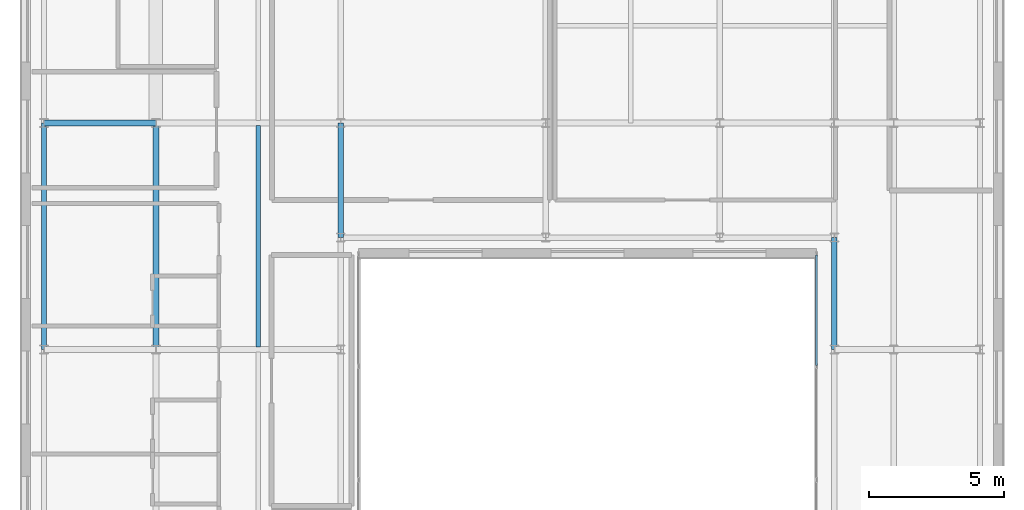
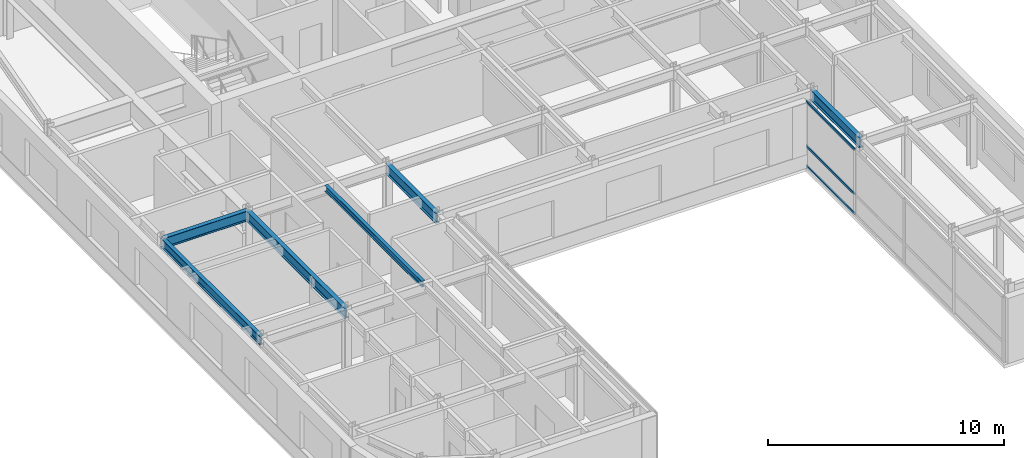
# One storey, part 8 of 20: 6 beams, 3 members, 1 element without a shape of its own.
"""IFC4 building model written with IfcOpenShell, lengths in metres."""

from ifc_helpers import new_model, si_unit, direction, frame, origin, origin_2d, place, context, subcontext, project, spatial, hollow_rectangle, i_section, extrude, source, transform, mapped, material, layer, layer_set, material_profile, profile_set, type_object, type_shapes, element, aggregate, save


model = new_model("IFC4")

# Units and contexts
model_context = context("Model", 3, precision=1e-05, world=origin(), true_north=direction((0.0, 1.0)))
body_context = subcontext(model_context, "Body", "Model", "MODEL_VIEW")
ifc_project = project(units=[si_unit("LENGTHUNIT", "METRE"), si_unit("AREAUNIT", "SQUARE_METRE"), si_unit("VOLUMEUNIT", "CUBIC_METRE"), si_unit("PLANEANGLEUNIT", "RADIAN"), si_unit("MASSUNIT", "GRAM", prefix="KILO")], contexts=[model_context])

# Site, building, storey
site_placement = place(None, origin())
site = spatial("IfcSite", under=ifc_project, at=site_placement, CompositionType="ELEMENT")
building_placement = place(site_placement, origin())
building = spatial("IfcBuilding", under=site, at=building_placement, Name="Tolvann Quenvar Hotel", CompositionType="ELEMENT")
storey_placement = place(building_placement, frame((0.0, 0.0, 248.75)))
storey = spatial("IfcBuildingStorey", under=building, at=storey_placement, Name="L66", CompositionType="ELEMENT", Elevation=248.75)

# Beams
ifc_material_1 = material(Name="Steel Grade 350", Category="steel")
ifc_material_profile_1 = material_profile(ifc_material_1, i_section(OverallWidth=0.208984375, OverallDepth=0.532958984375, WebThickness=0.01025390625, FlangeThickness=0.015625, FilletRadius=0.013916015625, at=origin_2d()), Name="530UB92")
ifc_profile_set_1 = profile_set([ifc_material_profile_1], Name="Steel Grade 350")
beam_type_1 = type_object("IfcBeamType", Name="BM_GIRD_530UB92", PredefinedType="BEAM", material=ifc_profile_set_1)
shared_shape_1 = source(origin(), body_context, "Body", "SweptSolid", [
    extrude(i_section(OverallWidth=0.208984375, OverallDepth=0.532958984375, WebThickness=0.01025390625, FlangeThickness=0.015625, FilletRadius=0.013916015625, at=origin_2d()), origin(), (0.0, 0.0, 1.0), 8.39990234375),
])
beam_1_placement = place(storey_placement, frame((7.60009765625, 16.0, 3.103515625), z_axis=(0.0, 1.0, 0.0), x_axis=(-1.0, 0.0, 0.0)))
element("IfcBeam", 1, at=beam_1_placement, inside=storey, type_object=beam_type_1, Name="BM-L66-NS-C4-C5", PredefinedType="BEAM", context=body_context, shape_type="MappedRepresentation", body=[
    mapped(shared_shape_1, transform((0.0, 0.0, 0.0), x_axis=(1.0, 0.0, 0.0), y_axis=(0.0, 1.0, 0.0), z_axis=(0.0, 0.0, 1.0), scale=1.0)),
])
ifc_material_profile_2 = material_profile(ifc_material_1, i_section(OverallWidth=0.19091796875, OverallDepth=0.4599609375, WebThickness=0.010009765625, FlangeThickness=0.01611328125, FilletRadius=0.011474609375, at=origin_2d()), Name="460UB82")
ifc_profile_set_2 = profile_set([ifc_material_profile_2], Name="Steel Grade 350")
beam_type_2 = type_object("IfcBeamType", Name="BM_SPAND_460UB82", PredefinedType="SPANDREL", material=ifc_profile_set_2)
shared_shape_2 = source(origin(), body_context, "Body", "SweptSolid", [
    extrude(i_section(OverallWidth=0.19091796875, OverallDepth=0.4599609375, WebThickness=0.010009765625, FlangeThickness=0.01611328125, FilletRadius=0.011474609375, at=origin_2d()), origin(), (0.0, 0.0, 1.0), 8.39990234375),
])
type_shapes(beam_type_2, [shared_shape_2])
beam_2_placement = place(storey_placement, frame((3.449951171875, 16.0, 3.139892578125), z_axis=(0.0, 1.0, 0.0), x_axis=(-1.0, 0.0, 0.0)))
element("IfcBeam", 2, at=beam_2_placement, inside=storey, type_object=beam_type_2, Name="BM-L66-NS-B4-B5", PredefinedType="SPANDREL", context=body_context, shape_type="MappedRepresentation", body=[
    mapped(shared_shape_2, transform((0.0, 0.0, 0.0), x_axis=(1.0, 0.0, 0.0), y_axis=(0.0, 1.0, 0.0), z_axis=(0.0, 0.0, 1.0), scale=1.0)),
])
shared_shape_3 = source(origin(), body_context, "Body", "SweptSolid", [
    extrude(i_section(OverallWidth=0.208984375, OverallDepth=0.532958984375, WebThickness=0.01025390625, FlangeThickness=0.015625, FilletRadius=0.013916015625, at=origin_2d()), origin(), (0.0, 0.0, 1.0), 4.150146484375),
])
beam_3_placement = place(storey_placement, frame((3.449951171875, 24.39990234375, 3.103515625), z_axis=(1.0, 0.0, 0.0), x_axis=(0.0, 1.0, 0.0)))
element("IfcBeam", 3, at=beam_3_placement, inside=storey, type_object=beam_type_1, Name="BM-L66-EW-5-B5-C5", PredefinedType="BEAM", context=body_context, shape_type="MappedRepresentation", body=[
    mapped(shared_shape_3, transform((0.0, 0.0, 0.0), x_axis=(1.0, 0.0, 0.0), y_axis=(0.0, 1.0, 0.0), z_axis=(0.0, 0.0, 1.0), scale=1.0)),
])
shared_shape_4 = source(origin(), body_context, "Body", "SweptSolid", [
    extrude(i_section(OverallWidth=0.208984375, OverallDepth=0.532958984375, WebThickness=0.01025390625, FlangeThickness=0.015625, FilletRadius=0.013916015625, at=origin_2d()), origin(), (0.0, 0.0, 1.0), 4.25),
])
beam_4_placement = place(storey_placement, frame((14.449951171875, 20.14990234375, 3.103515625), z_axis=(0.0, 1.0, 0.0), x_axis=(-1.0, 0.0, 0.0)))
element("IfcBeam", 4, at=beam_4_placement, inside=storey, type_object=beam_type_1, Name="BM-L66-NS-D4P-D5", PredefinedType="BEAM", context=body_context, shape_type="MappedRepresentation", body=[
    mapped(shared_shape_4, transform((0.0, 0.0, 0.0), x_axis=(1.0, 0.0, 0.0), y_axis=(0.0, 1.0, 0.0), z_axis=(0.0, 0.0, 1.0), scale=1.0)),
])
shared_shape_5 = source(origin(), body_context, "Body", "SweptSolid", [
    extrude(i_section(OverallWidth=0.208984375, OverallDepth=0.532958984375, WebThickness=0.01025390625, FlangeThickness=0.015625, FilletRadius=0.013916015625, at=origin_2d()), origin(), (0.0, 0.0, 1.0), 4.14990234375),
])
type_shapes(beam_type_1, [shared_shape_1, shared_shape_3, shared_shape_4, shared_shape_5])
beam_5_placement = place(storey_placement, frame((32.75, 16.0, 3.103515625), z_axis=(0.0, 1.0, 0.0), x_axis=(-1.0, 0.0, 0.0)))
element("IfcBeam", 5, at=beam_5_placement, inside=storey, type_object=beam_type_1, Name="BM-L66-NS-FP4-FP4P", PredefinedType="BEAM", context=body_context, shape_type="MappedRepresentation", body=[
    mapped(shared_shape_5, transform((0.0, 0.0, 0.0), x_axis=(1.0, 0.0, 0.0), y_axis=(0.0, 1.0, 0.0), z_axis=(0.0, 0.0, 1.0), scale=1.0)),
])
ifc_material_profile_3 = material_profile(ifc_material_1, i_section(OverallWidth=0.166015625, OverallDepth=0.306884765625, WebThickness=0.006591796875, FlangeThickness=0.01171875, FilletRadius=0.011474609375, at=origin_2d()), Name="310UB46")
ifc_profile_set_3 = profile_set([ifc_material_profile_3], Name="Steel Grade 350")
beam_type_3 = type_object("IfcBeamType", Name="BM_JOIST_310UB46", PredefinedType="JOIST", material=ifc_profile_set_3)
shared_shape_6 = source(origin(), body_context, "Body", "SweptSolid", [
    extrude(i_section(OverallWidth=0.166015625, OverallDepth=0.306884765625, WebThickness=0.006591796875, FlangeThickness=0.01171875, FilletRadius=0.011474609375, at=origin_2d()), origin(), (0.0, 0.0, 1.0), 8.203125),
])
type_shapes(beam_type_3, [shared_shape_6])
beam_6_placement = place(storey_placement, frame((11.39990234375, 16.098388671875, 3.216552734375), z_axis=(0.0, 1.0, 0.0), x_axis=(-1.0, 0.0, 0.0)))
element("IfcBeam", 6, at=beam_6_placement, inside=storey, type_object=beam_type_3, Name="BJ-L66-114-160", PredefinedType="JOIST", context=body_context, shape_type="MappedRepresentation", body=[
    mapped(shared_shape_6, transform((0.0, 0.0, 0.0), x_axis=(1.0, 0.0, 0.0), y_axis=(0.0, 1.0, 0.0), z_axis=(0.0, 0.0, 1.0), scale=1.0)),
])

# Curtain wall, members
ifc_material_2 = material(Name="Thermally broken anodised architectural aluminium 6063-T6 and laminated low-E glass", Category="aluminium")
ifc_layer = layer(ifc_material_2, 0.179931640625)
ifc_layer_set = layer_set([ifc_layer], Name="Thermally broken anodised architectural aluminium 6063-T6 and laminated low-E glass")
curtain_wall_type = type_object("IfcCurtainWallType", Name="CW_SYS_PORTAL_05", PredefinedType="USERDEFINED", material=ifc_layer_set)
curtain_wall_placement = place(storey_placement, origin())
curtain_wall = element("IfcCurtainWall", 7, at=curtain_wall_placement, inside=storey, type_object=curtain_wall_type, Name="Curtain Wall CW-PORTAL-05 (CWR-L66-E07)", ObjectType="UNITISED CURTAIN WALL", PredefinedType="USERDEFINED")
ifc_material_3 = material(Name="Anodised architectural aluminium 6063-T6 framing", Category="aluminium")
ifc_material_profile_4 = material_profile(ifc_material_3, hollow_rectangle(XDim=0.06005859375, YDim=0.1201171875, WallThickness=0.00341796875, at=origin_2d()), Name="120x60x3.5RHS")
ifc_profile_set_4 = profile_set([ifc_material_profile_4], Name="Anodised architectural aluminium 6063-T6 framing")
member_type = type_object("IfcMemberType", Name="CW_TRAN_120x60", PredefinedType="USERDEFINED", material=ifc_profile_set_4)
shared_shape_7 = source(origin(), body_context, "Body", "SweptSolid", [
    extrude(hollow_rectangle(XDim=0.06005859375, YDim=0.1201171875, WallThickness=0.00341796875, at=origin_2d()), origin(), (0.0, 0.0, 1.0), 4.094970703125),
])
type_shapes(member_type, [shared_shape_7])
member_1_placement = place(storey_placement, frame((32.090087890625, 19.5048828125, 0.030029296875), z_axis=(0.0, -1.0, 0.0), x_axis=(1.0, 0.0, 0.0)))
member_1 = element("IfcMember", 8, at=member_1_placement, type_object=member_type, Name="CW-PORTAL-05 transom 1.1", ObjectType="TRANSOM", PredefinedType="USERDEFINED", context=body_context, shape_type="MappedRepresentation", body=[
    mapped(shared_shape_7, transform((0.0, 0.0, 0.0), x_axis=(1.0, 0.0, 0.0), y_axis=(0.0, 1.0, 0.0), z_axis=(0.0, 0.0, 1.0), scale=1.0)),
])
member_2_placement = place(storey_placement, frame((32.090087890625, 19.5048828125, 1.050048828125), z_axis=(0.0, -1.0, 0.0), x_axis=(1.0, 0.0, 0.0)))
member_2 = element("IfcMember", 9, at=member_2_placement, type_object=member_type, Name="CW-PORTAL-05 transom 1.2", ObjectType="TRANSOM", PredefinedType="USERDEFINED", context=body_context, shape_type="MappedRepresentation", body=[
    mapped(shared_shape_7, transform((0.0, 0.0, 0.0), x_axis=(1.0, 0.0, 0.0), y_axis=(0.0, 1.0, 0.0), z_axis=(0.0, 0.0, 1.0), scale=1.0)),
])
member_3_placement = place(storey_placement, frame((32.090087890625, 19.5048828125, 3.340087890625), z_axis=(0.0, -1.0, 0.0), x_axis=(1.0, 0.0, 0.0)))
member_3 = element("IfcMember", 10, at=member_3_placement, type_object=member_type, Name="CW-PORTAL-05 transom 1.3", ObjectType="TRANSOM", PredefinedType="USERDEFINED", context=body_context, shape_type="MappedRepresentation", body=[
    mapped(shared_shape_7, transform((0.0, 0.0, 0.0), x_axis=(1.0, 0.0, 0.0), y_axis=(0.0, 1.0, 0.0), z_axis=(0.0, 0.0, 1.0), scale=1.0)),
])
aggregate(curtain_wall, [member_1, member_2, member_3])

save(model, "model.ifc")
